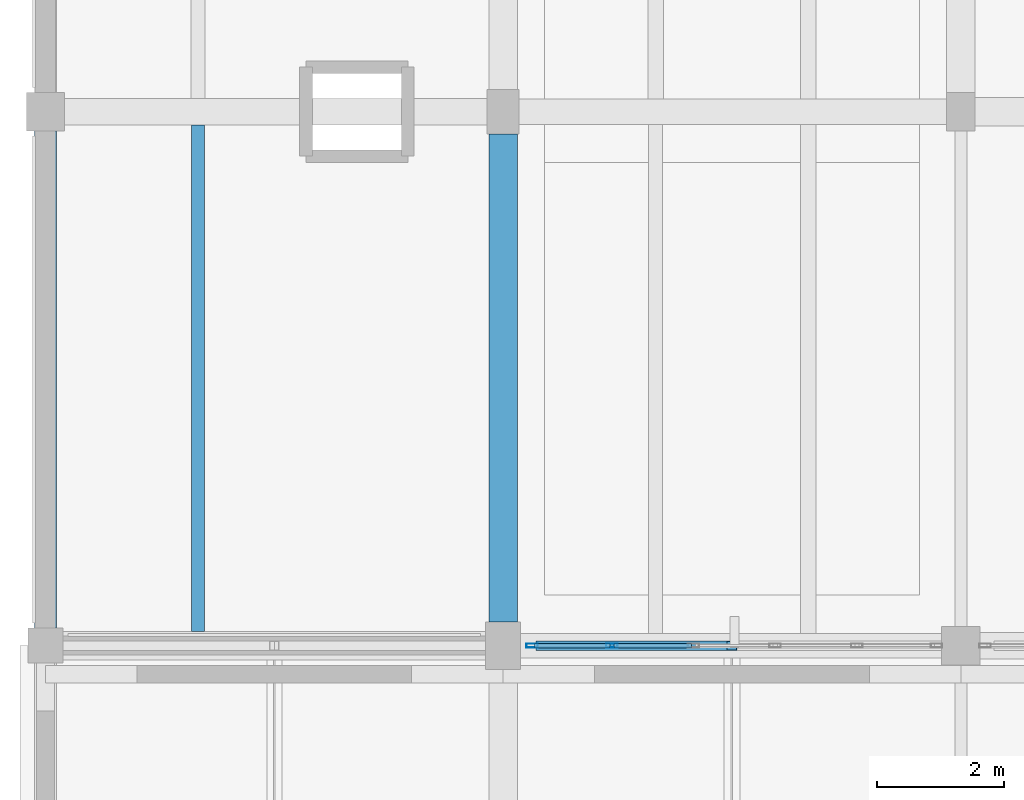
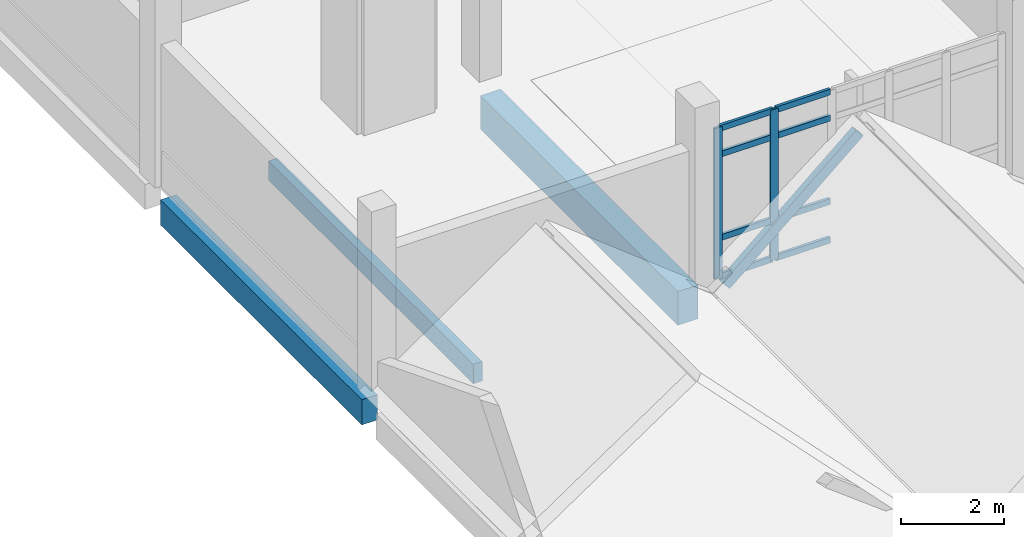
# One storey, part 8 of 41: 11 members, 3 beams, 1 element without a shape of its own.
"""IFC4 building model written with IfcOpenShell, lengths in metres."""

import ifcopenshell
import ifcopenshell.guid

model = None  # the IFC model being written
_history = None  # IfcOwnerHistory: only IFC2X3 demands one
_inside = {}  # id of a spatial element -> (the spatial element, [elements in it])
_under = {}  # id of a project, library or spatial element -> (it, [spatial elements below it])
_declared = {}  # id of a project -> (the project, [libraries it declares])
_typed = {}  # id of a type object -> (the type object, [elements of that type])
_made_of = {}  # id of a material, layer set ... -> (it, [elements and type objects made of it])


def new_model(schema):
    """Start an empty IFC model of exactly this schema.

    Asked for "IFC4X3", IfcOpenShell would pick the latest addendum, in which some entities
    have other attributes; the version numbers below select the first issue.
    IFC2X3 requires an IfcOwnerHistory on every rooted entity: one is made here for all.
    """
    global model, _history
    if schema == "IFC4X3":
        model = ifcopenshell.file(schema_version=(4, 3, 0, 0))
    else:
        model = ifcopenshell.file(schema=schema)
    _inside.clear()
    _under.clear()
    _declared.clear()
    _typed.clear()
    _made_of.clear()
    _history = None
    if model.schema == "IFC2X3":
        org = make("IfcOrganization", Name="unknown")
        user = make(
            "IfcPersonAndOrganization",
            ThePerson=make("IfcPerson", FamilyName="unknown"),
            TheOrganization=org,
        )
        app = make(
            "IfcApplication",
            ApplicationDeveloper=org,
            Version="unknown",
            ApplicationFullName="unknown",
            ApplicationIdentifier="unknown",
        )
        _history = make(
            "IfcOwnerHistory",
            OwningUser=user,
            OwningApplication=app,
            ChangeAction="ADDED",
            CreationDate=0,
        )
    return model


def make(cls, **values):
    """One entity of the class cls with the attributes given. An attribute that is None is left unset."""
    return model.create_entity(
        cls, **{name: value for name, value in values.items() if value is not None}
    )


def rooted(cls, **values):
    """An entity with a GlobalId (a new one), such as an element, a storey or a relation."""
    return make(cls, GlobalId=ifcopenshell.guid.new(), OwnerHistory=_history, **values)


def si_unit(unit_type, name, prefix=None):
    """IfcSIUnit, for example si_unit("LENGTHUNIT", "METRE", prefix="MILLI")."""
    return make("IfcSIUnit", UnitType=unit_type, Prefix=prefix, Name=name)


def assignment(units):
    """IfcUnitAssignment: the units of a project."""
    return None if units is None else make("IfcUnitAssignment", Units=units)


def point(xyz):
    """IfcCartesianPoint."""
    return None if xyz is None else make("IfcCartesianPoint", Coordinates=xyz)


def direction(xyz):
    """IfcDirection."""
    return None if xyz is None else make("IfcDirection", DirectionRatios=xyz)


def frame(location, z_axis=None, x_axis=None):
    """IfcAxis2Placement3D, a coordinate frame: its origin and axes. An axis left out is left unset."""
    return make(
        "IfcAxis2Placement3D",
        Location=point(location),
        Axis=direction(z_axis),
        RefDirection=direction(x_axis),
    )


def frame_2d(location, x_axis=None):
    """IfcAxis2Placement2D, a coordinate frame in the plane: its origin and x axis."""
    return make(
        "IfcAxis2Placement2D", Location=point(location), RefDirection=direction(x_axis)
    )


def origin():
    """The frame at (0, 0, 0) with its axes left unset."""
    return frame((0.0, 0.0, 0.0))


def origin_2d():
    """The frame at (0, 0) in the plane with its x axis left unset."""
    return frame_2d((0.0, 0.0))


def place(relative_to, where):
    """IfcLocalPlacement: puts the frame where relative to a parent placement (None: the world)."""
    return make(
        "IfcLocalPlacement", PlacementRelTo=relative_to, RelativePlacement=where
    )


def context(
    kind, dimensions, precision=None, world=None, true_north=None, identifier=None
):
    """IfcGeometricRepresentationContext, for example the 3D "Model" context."""
    return make(
        "IfcGeometricRepresentationContext",
        ContextIdentifier=identifier,
        ContextType=kind,
        CoordinateSpaceDimension=dimensions,
        Precision=precision,
        WorldCoordinateSystem=world,
        TrueNorth=true_north,
    )


def subcontext(parent, identifier, kind, view, scale=None):
    """IfcGeometricRepresentationSubContext, for example "Body" below "Model"."""
    return make(
        "IfcGeometricRepresentationSubContext",
        ContextIdentifier=identifier,
        ContextType=kind,
        ParentContext=parent,
        TargetScale=scale,
        TargetView=view,
    )


def project(units=None, contexts=None):
    """IfcProject with its units and contexts."""
    return rooted(
        "IfcProject",
        Name="project",
        RepresentationContexts=contexts,
        UnitsInContext=assignment(units),
    )


def spatial(cls, under=None, at=None, **own):
    """A site, building, storey or space (cls), placed at a placement, below another one or the project."""
    s = rooted(cls, ObjectPlacement=at, **own)
    if under is not None:
        _under.setdefault(under.id(), (under, []))[1].append(s)
    return s


def profile(cls, at=None, kind="AREA", **sizes):
    """A parametric profile (cls). Its sizes go by their IFC names, for example OverallWidth=200.0."""
    return make(cls, ProfileType=kind, Position=at, **sizes)


def rectangle(**sizes):
    """IfcRectangleProfileDef."""
    return profile("IfcRectangleProfileDef", **sizes)


def hollow_rectangle(**sizes):
    """IfcRectangleHollowProfileDef."""
    return profile("IfcRectangleHollowProfileDef", **sizes)


def extrude(swept, where, along, depth):
    """IfcExtrudedAreaSolid: the profile swept, set in the frame where, extruded along a direction by depth."""
    return make(
        "IfcExtrudedAreaSolid",
        SweptArea=swept,
        Position=where,
        ExtrudedDirection=direction(along),
        Depth=depth,
    )


def shape(context_of_items, identifier, shape_type, items):
    """IfcShapeRepresentation: the items that make up one representation, for example the "Body"."""
    return make(
        "IfcShapeRepresentation",
        ContextOfItems=context_of_items,
        RepresentationIdentifier=identifier,
        RepresentationType=shape_type,
        Items=items,
    )


def material(Name=None, Category=None):
    """IfcMaterial."""
    return make("IfcMaterial", Name=Name, Category=Category)


def material_profile(
    of_material, cross_section, Name=None, Category=None, Priority=None
):
    """IfcMaterialProfile: a cross section and its material."""
    return make(
        "IfcMaterialProfile",
        Name=Name,
        Material=of_material,
        Profile=cross_section,
        Priority=Priority,
        Category=Category,
    )


def profile_set(profiles, Name=None, composite=None):
    """IfcMaterialProfileSet."""
    return make(
        "IfcMaterialProfileSet",
        Name=Name,
        MaterialProfiles=profiles,
        CompositeProfile=composite,
    )


def made_of(thing, what):
    """Note that an element or type object is made of a material, layer set ...; save() writes the relation."""
    if what is not None:
        _made_of.setdefault(what.id(), (what, []))[1].append(thing)
    return thing


def type_object(cls, material=None, **own):
    """A type object (cls), such as IfcWallType, which elements share."""
    return made_of(rooted(cls, **own), material)


def element(
    cls,
    number,
    at=None,
    inside=None,
    cuts=None,
    type_object=None,
    material=None,
    context=None,
    identifier="Body",
    shape_type=None,
    held_by="IfcProductDefinitionShape",
    body=None,
    shapes=None,
    **own,
):
    """One element of the class cls, such as IfcWall. Its Tag is "e" and its number.

    at: its placement. inside: the storey or other place that contains it. cuts: it is an
    opening in that element (IfcRelVoidsElement). A single representation is given by context,
    identifier, shape_type and body (its items); several are given by shapes. held_by: the class
    of the entity that holds the representations. save() writes the other relations.
    """
    e = rooted(cls, Tag="e%d" % number, ObjectPlacement=at, **own)
    if body is not None:
        shapes = [shape(context, identifier, shape_type, body)]
    if shapes is not None:
        e.Representation = make(held_by, Representations=shapes)
    if inside is not None:
        _inside.setdefault(inside.id(), (inside, []))[1].append(e)
    if cuts is not None:
        rooted(
            "IfcRelVoidsElement", RelatingBuildingElement=cuts, RelatedOpeningElement=e
        )
    if type_object is not None:
        _typed.setdefault(type_object.id(), (type_object, []))[1].append(e)
    return made_of(e, material)


def aggregate(whole, parts):
    """IfcRelAggregates: a whole, such as a stair, and the parts it consists of."""
    return rooted("IfcRelAggregates", RelatingObject=whole, RelatedObjects=parts)


def save(model, path):
    """Write the relations noted so far, then the file.

    IfcRelAggregates (storeys below a building ...), IfcRelContainedInSpatialStructure (elements
    in a storey), IfcRelDefinesByType, IfcRelAssociatesMaterial and IfcRelDeclares: one each for
    every whole, place, type object, material and project.
    """
    for whole, parts in _under.values():
        aggregate(whole, parts)
    for where, things in _inside.values():
        rooted(
            "IfcRelContainedInSpatialStructure",
            RelatedElements=things,
            RelatingStructure=where,
        )
    for kind, things in _typed.values():
        rooted("IfcRelDefinesByType", RelatedObjects=things, RelatingType=kind)
    for what, things in _made_of.values():
        rooted("IfcRelAssociatesMaterial", RelatedObjects=things, RelatingMaterial=what)
    for by, libraries in _declared.values():
        rooted("IfcRelDeclares", RelatingContext=by, RelatedDefinitions=libraries)
    model.write(path)


model = new_model("IFC4")

# Units and contexts
model_context = context("Model", 3, precision=1e-05, world=origin(), true_north=direction((0.0, 1.0)))
body_context = subcontext(model_context, "Body", "Model", "MODEL_VIEW")
ifc_project = project(units=[si_unit("LENGTHUNIT", "METRE"), si_unit("AREAUNIT", "SQUARE_METRE"), si_unit("VOLUMEUNIT", "CUBIC_METRE"), si_unit("PLANEANGLEUNIT", "RADIAN"), si_unit("MASSUNIT", "GRAM", prefix="KILO")], contexts=[model_context])

# Site, building, storey
site_placement = place(None, origin())
site = spatial("IfcSite", under=ifc_project, at=site_placement, CompositionType="ELEMENT")
building_placement = place(site_placement, origin())
building = spatial("IfcBuilding", under=site, at=building_placement, Name="Kalluvel Institute of Natural Sciences", CompositionType="ELEMENT")
storey_placement = place(building_placement, frame((0.0, 0.0, 32.39990234375)))
storey = spatial("IfcBuildingStorey", under=building, at=storey_placement, Name="L07", CompositionType="ELEMENT", Elevation=32.39990234375)

# Beam
ifc_material_1 = material(Name="Concrete M40", Category="concrete")
ifc_material_profile_1 = material_profile(ifc_material_1, rectangle(XDim=0.449951171875, YDim=0.800048828125, at=origin_2d()), Name="RCB 450x800")
ifc_profile_set_1 = profile_set([ifc_material_profile_1], Name="Concrete M40")
beam_type_1 = type_object("IfcBeamType", Name="BM-RC450x800", PredefinedType="BEAM", material=ifc_profile_set_1)
beam_1_placement = place(storey_placement, frame((21.199951171875, 103.175048828125, -0.719970703125), z_axis=(0.0, 1.0, 0.0), x_axis=(-1.0, 0.0, 0.0)))
element("IfcBeam", 1, at=beam_1_placement, inside=storey, type_object=beam_type_1, Name="L07 girder GIR-L07-NS-X212-Y1028", PredefinedType="BEAM", context=body_context, shape_type="SweptSolid", body=[
    extrude(rectangle(XDim=0.449951171875, YDim=0.800048828125, at=origin_2d()), origin(), (0.0, 0.0, 1.0), 7.675048828125),
])

# Curtain wall, members
ifc_material_2 = material(Name="Aluminium AW-6063 T6", Category="aluminium")
curtain_wall_type = type_object("IfcCurtainWallType", Name="CW-WET-45", PredefinedType="USERDEFINED", material=ifc_material_2)
curtain_wall_placement = place(storey_placement, origin())
curtain_wall = element("IfcCurtainWall", 2, at=curtain_wall_placement, inside=storey, type_object=curtain_wall_type, Name="L07 Gothic lancet curtain wall CWA-L07-X216-Y1028", ObjectType="UNITISED LANCET FACADE", PredefinedType="USERDEFINED")
ifc_material_profile_2 = material_profile(ifc_material_2, hollow_rectangle(XDim=0.06494140625, YDim=0.179931640625, WallThickness=0.00439453125, at=origin_2d()), Name="CWM 65x180")
ifc_profile_set_2 = profile_set([ifc_material_profile_2], Name="Aluminium AW-6063 T6")
member_type_1 = type_object("IfcMemberType", Name="CWM-65x180", PredefinedType="MULLION", material=ifc_profile_set_2)
member_1_placement = place(storey_placement, frame((21.657470703125, 102.800048828125, 0.0), z_axis=(0.0, 0.0, 1.0), x_axis=(0.0, 1.0, 0.0)))
member_1 = element("IfcMember", 3, at=member_1_placement, type_object=member_type_1, Name="CW-01 mullion 1", PredefinedType="MULLION", context=body_context, shape_type="SweptSolid", body=[
    extrude(hollow_rectangle(XDim=0.06494140625, YDim=0.179931640625, WallThickness=0.00439453125, at=origin_2d()), origin(), (0.0, 0.0, 1.0), 3.580078125),
])
member_2_placement = place(storey_placement, frame((22.909912109375, 102.800048828125, 0.0), z_axis=(0.0, 0.0, 1.0), x_axis=(0.0, 1.0, 0.0)))
member_2 = element("IfcMember", 4, at=member_2_placement, type_object=member_type_1, Name="CW-01 mullion 2", PredefinedType="MULLION", context=body_context, shape_type="SweptSolid", body=[
    extrude(hollow_rectangle(XDim=0.06494140625, YDim=0.179931640625, WallThickness=0.00439453125, at=origin_2d()), origin(), (0.0, 0.0, 1.0), 3.580078125),
])
ifc_material_profile_3 = material_profile(ifc_material_2, hollow_rectangle(XDim=0.06494140625, YDim=0.139892578125, WallThickness=0.00439453125, at=origin_2d()), Name="CWT 65x140")
ifc_profile_set_3 = profile_set([ifc_material_profile_3], Name="Aluminium AW-6063 T6")
member_type_2 = type_object("IfcMemberType", Name="CWT-65x140", PredefinedType="USERDEFINED", material=ifc_profile_set_3)
member_3_placement = place(storey_placement, frame((21.68994140625, 102.800048828125, 0.03271484375), z_axis=(1.0, 0.0, 0.0), x_axis=(0.0, 1.0, 0.0)))
member_3 = element("IfcMember", 5, at=member_3_placement, type_object=member_type_2, Name="CW-01 transom 1.1", ObjectType="TRANSOM", PredefinedType="USERDEFINED", context=body_context, shape_type="SweptSolid", body=[
    extrude(hollow_rectangle(XDim=0.06494140625, YDim=0.139892578125, WallThickness=0.00439453125, at=origin_2d()), origin(), (0.0, 0.0, 1.0), 1.1875),
])
member_4_placement = place(storey_placement, frame((21.68994140625, 102.800048828125, 0.9501953125), z_axis=(1.0, 0.0, 0.0), x_axis=(0.0, 1.0, 0.0)))
member_4 = element("IfcMember", 6, at=member_4_placement, type_object=member_type_2, Name="CW-01 transom 1.2", ObjectType="TRANSOM", PredefinedType="USERDEFINED", context=body_context, shape_type="SweptSolid", body=[
    extrude(hollow_rectangle(XDim=0.06494140625, YDim=0.139892578125, WallThickness=0.00439453125, at=origin_2d()), origin(), (0.0, 0.0, 1.0), 1.1875),
])
member_5_placement = place(storey_placement, frame((21.68994140625, 102.800048828125, 2.93017578125), z_axis=(1.0, 0.0, 0.0), x_axis=(0.0, 1.0, 0.0)))
member_5 = element("IfcMember", 7, at=member_5_placement, type_object=member_type_2, Name="CW-01 transom 1.3", ObjectType="TRANSOM", PredefinedType="USERDEFINED", context=body_context, shape_type="SweptSolid", body=[
    extrude(hollow_rectangle(XDim=0.06494140625, YDim=0.139892578125, WallThickness=0.00439453125, at=origin_2d()), origin(), (0.0, 0.0, 1.0), 1.1875),
])
member_6_placement = place(storey_placement, frame((21.68994140625, 102.800048828125, 3.547607421875), z_axis=(1.0, 0.0, 0.0), x_axis=(0.0, 1.0, 0.0)))
member_6 = element("IfcMember", 8, at=member_6_placement, type_object=member_type_2, Name="CW-01 transom 1.4", ObjectType="TRANSOM", PredefinedType="USERDEFINED", context=body_context, shape_type="SweptSolid", body=[
    extrude(hollow_rectangle(XDim=0.06494140625, YDim=0.139892578125, WallThickness=0.00439453125, at=origin_2d()), origin(), (0.0, 0.0, 1.0), 1.1875),
])
member_7_placement = place(storey_placement, frame((22.9423828125, 102.800048828125, 0.03271484375), z_axis=(1.0, 0.0, 0.0), x_axis=(0.0, 1.0, 0.0)))
member_7 = element("IfcMember", 9, at=member_7_placement, type_object=member_type_2, Name="CW-01 transom 2.1", ObjectType="TRANSOM", PredefinedType="USERDEFINED", context=body_context, shape_type="SweptSolid", body=[
    extrude(hollow_rectangle(XDim=0.06494140625, YDim=0.139892578125, WallThickness=0.00439453125, at=origin_2d()), origin(), (0.0, 0.0, 1.0), 1.22021484375),
])
member_8_placement = place(storey_placement, frame((22.9423828125, 102.800048828125, 0.9501953125), z_axis=(1.0, 0.0, 0.0), x_axis=(0.0, 1.0, 0.0)))
member_8 = element("IfcMember", 10, at=member_8_placement, type_object=member_type_2, Name="CW-01 transom 2.2", ObjectType="TRANSOM", PredefinedType="USERDEFINED", context=body_context, shape_type="SweptSolid", body=[
    extrude(hollow_rectangle(XDim=0.06494140625, YDim=0.139892578125, WallThickness=0.00439453125, at=origin_2d()), origin(), (0.0, 0.0, 1.0), 1.22021484375),
])
member_9_placement = place(storey_placement, frame((22.9423828125, 102.800048828125, 2.93017578125), z_axis=(1.0, 0.0, 0.0), x_axis=(0.0, 1.0, 0.0)))
member_9 = element("IfcMember", 11, at=member_9_placement, type_object=member_type_2, Name="CW-01 transom 2.3", ObjectType="TRANSOM", PredefinedType="USERDEFINED", context=body_context, shape_type="SweptSolid", body=[
    extrude(hollow_rectangle(XDim=0.06494140625, YDim=0.139892578125, WallThickness=0.00439453125, at=origin_2d()), origin(), (0.0, 0.0, 1.0), 1.22021484375),
])
member_10_placement = place(storey_placement, frame((22.9423828125, 102.800048828125, 3.547607421875), z_axis=(1.0, 0.0, 0.0), x_axis=(0.0, 1.0, 0.0)))
member_10 = element("IfcMember", 12, at=member_10_placement, type_object=member_type_2, Name="CW-01 transom 2.4", ObjectType="TRANSOM", PredefinedType="USERDEFINED", context=body_context, shape_type="SweptSolid", body=[
    extrude(hollow_rectangle(XDim=0.06494140625, YDim=0.139892578125, WallThickness=0.00439453125, at=origin_2d()), origin(), (0.0, 0.0, 1.0), 1.22021484375),
])
aggregate(curtain_wall, [member_1, member_2, member_3, member_4, member_5, member_6, member_7, member_8, member_9, member_10])

# Member
ifc_material_3 = material(Name="Steel E350 Grade 350", Category="steel")
ifc_material_profile_4 = material_profile(ifc_material_3, hollow_rectangle(XDim=0.14990234375, YDim=0.25, WallThickness=0.010009765625, at=origin_2d()), Name="RHS 250x150x10")
ifc_profile_set_4 = profile_set([ifc_material_profile_4], Name="Steel E350 Grade 350")
member_type_3 = type_object("IfcMemberType", Name="MB-RAFT-RHS250", PredefinedType="RAFTER", material=ifc_profile_set_4)
member_11_placement = place(storey_placement, frame((21.800048828125, 102.800048828125, -0.199951171875), z_axis=(0.758175435379, 0.0, 0.652050618578), x_axis=(0.0, 1.0, 0.0)))
element("IfcMember", 13, at=member_11_placement, inside=storey, type_object=member_type_3, Name="Dry Wing Gothic roof rafter W2-102", PredefinedType="RAFTER", context=body_context, shape_type="SweptSolid", body=[
    extrude(hollow_rectangle(XDim=0.14990234375, YDim=0.25, WallThickness=0.010009765625, at=origin_2d()), origin(), (0.0, 0.0, 1.0), 3.956787109375),
])

# Beams
ifc_material_profile_5 = material_profile(ifc_material_1, rectangle(XDim=0.35009765625, YDim=0.60009765625, at=origin_2d()), Name="RCB 350x600")
ifc_profile_set_5 = profile_set([ifc_material_profile_5], Name="Concrete M40")
beam_type_2 = type_object("IfcBeamType", Name="SP-RC350x600", PredefinedType="SPANDREL", material=ifc_profile_set_5)
beam_2_placement = place(storey_placement, frame((14.0, 103.074951171875, -0.619873046875), z_axis=(0.0, 1.0, 0.0), x_axis=(-1.0, 0.0, 0.0)))
element("IfcBeam", 14, at=beam_2_placement, inside=storey, type_object=beam_type_2, Name="L07 girder GIR-L07-NS-X140-Y1028", PredefinedType="SPANDREL", context=body_context, shape_type="SweptSolid", body=[
    extrude(rectangle(XDim=0.35009765625, YDim=0.60009765625, at=origin_2d()), origin(), (0.0, 0.0, 1.0), 7.824951171875),
])
ifc_material_profile_6 = material_profile(ifc_material_1, rectangle(XDim=0.199951171875, YDim=0.4599609375, at=origin_2d()), Name="WAF 200x460")
ifc_profile_set_6 = profile_set([ifc_material_profile_6], Name="Concrete M40")
beam_type_3 = type_object("IfcBeamType", Name="WJ-200x460", PredefinedType="JOIST", material=ifc_profile_set_6)
beam_3_placement = place(storey_placement, frame((16.39990234375, 103.02490234375, -0.5498046875), z_axis=(0.0, 1.0, 0.0), x_axis=(-1.0, 0.0, 0.0)))
element("IfcBeam", 15, at=beam_3_placement, inside=storey, type_object=beam_type_3, Name="L07 waffle joist RIB-L07-0512", PredefinedType="JOIST", context=body_context, shape_type="SweptSolid", body=[
    extrude(rectangle(XDim=0.199951171875, YDim=0.4599609375, at=origin_2d()), origin(), (0.0, 0.0, 1.0), 7.965087890625),
])

save(model, "model.ifc")
